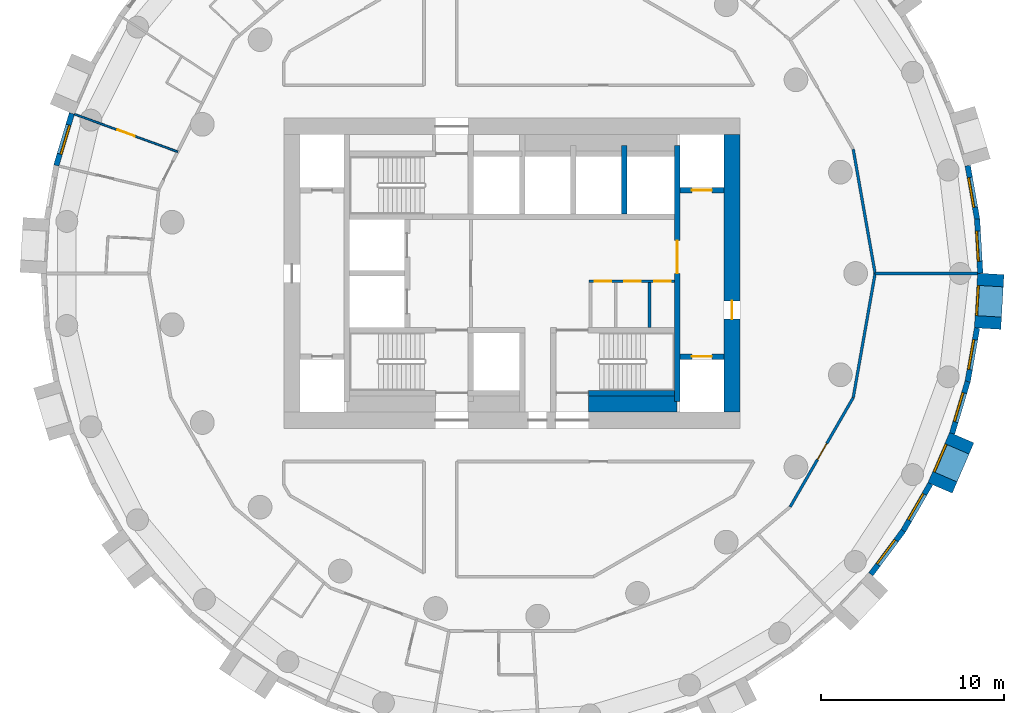
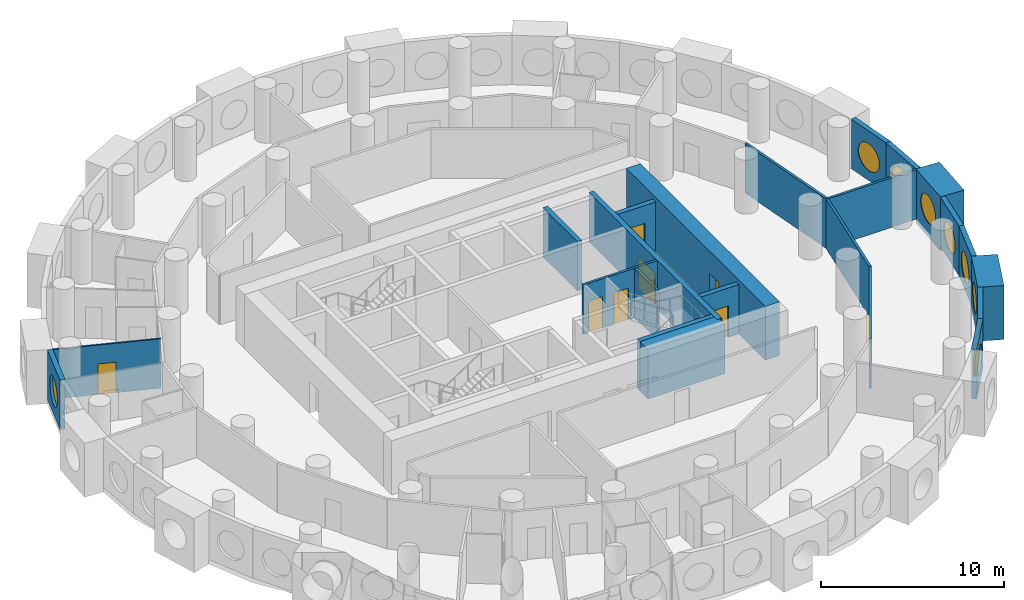
# One storey, part 5 of 9: 23 walls, 9 doors, 9 windows, 18 openings.
"""IFC4 building model written with IfcOpenShell, lengths in metres."""

import ifcopenshell
import ifcopenshell.guid

model = None  # the IFC model being written
_history = None  # IfcOwnerHistory: only IFC2X3 demands one
_inside = {}  # id of a spatial element -> (the spatial element, [elements in it])
_under = {}  # id of a project, library or spatial element -> (it, [spatial elements below it])
_declared = {}  # id of a project -> (the project, [libraries it declares])
_typed = {}  # id of a type object -> (the type object, [elements of that type])
_made_of = {}  # id of a material, layer set ... -> (it, [elements and type objects made of it])


def new_model(schema):
    """Start an empty IFC model of exactly this schema.

    Asked for "IFC4X3", IfcOpenShell would pick the latest addendum, in which some entities
    have other attributes; the version numbers below select the first issue.
    IFC2X3 requires an IfcOwnerHistory on every rooted entity: one is made here for all.
    """
    global model, _history
    if schema == "IFC4X3":
        model = ifcopenshell.file(schema_version=(4, 3, 0, 0))
    else:
        model = ifcopenshell.file(schema=schema)
    _inside.clear()
    _under.clear()
    _declared.clear()
    _typed.clear()
    _made_of.clear()
    _history = None
    if model.schema == "IFC2X3":
        org = make("IfcOrganization", Name="unknown")
        user = make(
            "IfcPersonAndOrganization",
            ThePerson=make("IfcPerson", FamilyName="unknown"),
            TheOrganization=org,
        )
        app = make(
            "IfcApplication",
            ApplicationDeveloper=org,
            Version="unknown",
            ApplicationFullName="unknown",
            ApplicationIdentifier="unknown",
        )
        _history = make(
            "IfcOwnerHistory",
            OwningUser=user,
            OwningApplication=app,
            ChangeAction="ADDED",
            CreationDate=0,
        )
    return model


def make(cls, **values):
    """One entity of the class cls with the attributes given. An attribute that is None is left unset."""
    return model.create_entity(
        cls, **{name: value for name, value in values.items() if value is not None}
    )


def rooted(cls, **values):
    """An entity with a GlobalId (a new one), such as an element, a storey or a relation."""
    return make(cls, GlobalId=ifcopenshell.guid.new(), OwnerHistory=_history, **values)


def si_unit(unit_type, name, prefix=None):
    """IfcSIUnit, for example si_unit("LENGTHUNIT", "METRE", prefix="MILLI")."""
    return make("IfcSIUnit", UnitType=unit_type, Prefix=prefix, Name=name)


def assignment(units):
    """IfcUnitAssignment: the units of a project."""
    return None if units is None else make("IfcUnitAssignment", Units=units)


def point(xyz):
    """IfcCartesianPoint."""
    return None if xyz is None else make("IfcCartesianPoint", Coordinates=xyz)


def direction(xyz):
    """IfcDirection."""
    return None if xyz is None else make("IfcDirection", DirectionRatios=xyz)


def frame(location, z_axis=None, x_axis=None):
    """IfcAxis2Placement3D, a coordinate frame: its origin and axes. An axis left out is left unset."""
    return make(
        "IfcAxis2Placement3D",
        Location=point(location),
        Axis=direction(z_axis),
        RefDirection=direction(x_axis),
    )


def frame_2d(location, x_axis=None):
    """IfcAxis2Placement2D, a coordinate frame in the plane: its origin and x axis."""
    return make(
        "IfcAxis2Placement2D", Location=point(location), RefDirection=direction(x_axis)
    )


def origin():
    """The frame at (0, 0, 0) with its axes left unset."""
    return frame((0.0, 0.0, 0.0))


def origin_2d():
    """The frame at (0, 0) in the plane with its x axis left unset."""
    return frame_2d((0.0, 0.0))


def place(relative_to, where):
    """IfcLocalPlacement: puts the frame where relative to a parent placement (None: the world)."""
    return make(
        "IfcLocalPlacement", PlacementRelTo=relative_to, RelativePlacement=where
    )


def context(
    kind, dimensions, precision=None, world=None, true_north=None, identifier=None
):
    """IfcGeometricRepresentationContext, for example the 3D "Model" context."""
    return make(
        "IfcGeometricRepresentationContext",
        ContextIdentifier=identifier,
        ContextType=kind,
        CoordinateSpaceDimension=dimensions,
        Precision=precision,
        WorldCoordinateSystem=world,
        TrueNorth=true_north,
    )


def subcontext(parent, identifier, kind, view, scale=None):
    """IfcGeometricRepresentationSubContext, for example "Body" below "Model"."""
    return make(
        "IfcGeometricRepresentationSubContext",
        ContextIdentifier=identifier,
        ContextType=kind,
        ParentContext=parent,
        TargetScale=scale,
        TargetView=view,
    )


def project(units=None, contexts=None):
    """IfcProject with its units and contexts."""
    return rooted(
        "IfcProject",
        Name="project",
        RepresentationContexts=contexts,
        UnitsInContext=assignment(units),
    )


def spatial(cls, under=None, at=None, **own):
    """A site, building, storey or space (cls), placed at a placement, below another one or the project."""
    s = rooted(cls, ObjectPlacement=at, **own)
    if under is not None:
        _under.setdefault(under.id(), (under, []))[1].append(s)
    return s


def profile(cls, at=None, kind="AREA", **sizes):
    """A parametric profile (cls). Its sizes go by their IFC names, for example OverallWidth=200.0."""
    return make(cls, ProfileType=kind, Position=at, **sizes)


def rectangle(**sizes):
    """IfcRectangleProfileDef."""
    return profile("IfcRectangleProfileDef", **sizes)


def circle(**sizes):
    """IfcCircleProfileDef."""
    return profile("IfcCircleProfileDef", **sizes)


def extrude(swept, where, along, depth):
    """IfcExtrudedAreaSolid: the profile swept, set in the frame where, extruded along a direction by depth."""
    return make(
        "IfcExtrudedAreaSolid",
        SweptArea=swept,
        Position=where,
        ExtrudedDirection=direction(along),
        Depth=depth,
    )


def shape(context_of_items, identifier, shape_type, items):
    """IfcShapeRepresentation: the items that make up one representation, for example the "Body"."""
    return make(
        "IfcShapeRepresentation",
        ContextOfItems=context_of_items,
        RepresentationIdentifier=identifier,
        RepresentationType=shape_type,
        Items=items,
    )


def material(Name=None, Category=None):
    """IfcMaterial."""
    return make("IfcMaterial", Name=Name, Category=Category)


def layer(
    of_material, thickness, ventilated=None, Name=None, Category=None, Priority=None
):
    """IfcMaterialLayer: one layer of a wall or slab, of a material (None: an air gap)."""
    return make(
        "IfcMaterialLayer",
        Material=of_material,
        LayerThickness=thickness,
        IsVentilated=ventilated,
        Name=Name,
        Category=Category,
        Priority=Priority,
    )


def layer_set(layers, Name=None):
    """IfcMaterialLayerSet."""
    return make("IfcMaterialLayerSet", MaterialLayers=layers, LayerSetName=Name)


def made_of(thing, what):
    """Note that an element or type object is made of a material, layer set ...; save() writes the relation."""
    if what is not None:
        _made_of.setdefault(what.id(), (what, []))[1].append(thing)
    return thing


def type_object(cls, material=None, **own):
    """A type object (cls), such as IfcWallType, which elements share."""
    return made_of(rooted(cls, **own), material)


def element(
    cls,
    number,
    at=None,
    inside=None,
    cuts=None,
    type_object=None,
    material=None,
    context=None,
    identifier="Body",
    shape_type=None,
    held_by="IfcProductDefinitionShape",
    body=None,
    shapes=None,
    **own,
):
    """One element of the class cls, such as IfcWall. Its Tag is "e" and its number.

    at: its placement. inside: the storey or other place that contains it. cuts: it is an
    opening in that element (IfcRelVoidsElement). A single representation is given by context,
    identifier, shape_type and body (its items); several are given by shapes. held_by: the class
    of the entity that holds the representations. save() writes the other relations.
    """
    e = rooted(cls, Tag="e%d" % number, ObjectPlacement=at, **own)
    if body is not None:
        shapes = [shape(context, identifier, shape_type, body)]
    if shapes is not None:
        e.Representation = make(held_by, Representations=shapes)
    if inside is not None:
        _inside.setdefault(inside.id(), (inside, []))[1].append(e)
    if cuts is not None:
        rooted(
            "IfcRelVoidsElement", RelatingBuildingElement=cuts, RelatedOpeningElement=e
        )
    if type_object is not None:
        _typed.setdefault(type_object.id(), (type_object, []))[1].append(e)
    return made_of(e, material)


def fill(opening, filler):
    """IfcRelFillsElement: the door or window that sits in an opening."""
    return rooted(
        "IfcRelFillsElement",
        RelatingOpeningElement=opening,
        RelatedBuildingElement=filler,
    )


def aggregate(whole, parts):
    """IfcRelAggregates: a whole, such as a stair, and the parts it consists of."""
    return rooted("IfcRelAggregates", RelatingObject=whole, RelatedObjects=parts)


def save(model, path):
    """Write the relations noted so far, then the file.

    IfcRelAggregates (storeys below a building ...), IfcRelContainedInSpatialStructure (elements
    in a storey), IfcRelDefinesByType, IfcRelAssociatesMaterial and IfcRelDeclares: one each for
    every whole, place, type object, material and project.
    """
    for whole, parts in _under.values():
        aggregate(whole, parts)
    for where, things in _inside.values():
        rooted(
            "IfcRelContainedInSpatialStructure",
            RelatedElements=things,
            RelatingStructure=where,
        )
    for kind, things in _typed.values():
        rooted("IfcRelDefinesByType", RelatedObjects=things, RelatingType=kind)
    for what, things in _made_of.values():
        rooted("IfcRelAssociatesMaterial", RelatedObjects=things, RelatingMaterial=what)
    for by, libraries in _declared.values():
        rooted("IfcRelDeclares", RelatingContext=by, RelatedDefinitions=libraries)
    model.write(path)


model = new_model("IFC4")

# Units and contexts
model_context = context("Model", 3, precision=1e-05, world=origin(), true_north=direction((0.0, 1.0)))
body_context = subcontext(model_context, "Body", "Model", "MODEL_VIEW")
ifc_project = project(units=[si_unit("LENGTHUNIT", "METRE"), si_unit("AREAUNIT", "SQUARE_METRE"), si_unit("VOLUMEUNIT", "CUBIC_METRE"), si_unit("PLANEANGLEUNIT", "RADIAN"), si_unit("MASSUNIT", "GRAM", prefix="KILO")], contexts=[model_context])

# Site, building, storey
site_placement = place(None, origin())
site = spatial("IfcSite", under=ifc_project, at=site_placement, CompositionType="ELEMENT")
building_placement = place(site_placement, origin())
building = spatial("IfcBuilding", under=site, at=building_placement, Name="Tracery Tower", CompositionType="ELEMENT")
storey_placement = place(building_placement, frame((0.0, 0.0, 183.60009765625)))
storey = spatial("IfcBuildingStorey", under=building, at=storey_placement, Name="L47", CompositionType="ELEMENT", Elevation=183.60009765625)

# Wall, openings, doors
ifc_material_1 = material(Name="Plasterboard on steel studs", Category="steel")
ifc_layer_1 = layer(ifc_material_1, 0.14990234375)
ifc_layer_set_1 = layer_set([ifc_layer_1], Name="Core room partition 150")
wall_type_1 = type_object("IfcWallType", Name="Core room partition 150", PredefinedType="SOLIDWALL", material=ifc_layer_set_1)
wall_1_placement = place(storey_placement, frame((4.22509765625, -0.425048828125, 0.0), z_axis=(0.0, 0.0, 1.0), x_axis=(1.0, 0.0, 0.0)))
wall_1 = element("IfcWall", 1, at=wall_1_placement, inside=storey, type_object=wall_type_1, Name="L47 slot N", PredefinedType="SOLIDWALL", context=body_context, shape_type="SweptSolid", body=[
    extrude(rectangle(XDim=4.6748046875, YDim=0.14990234375, at=frame_2d((2.33740234375, 0.0))), origin(), (0.0, 0.0, 1.0), 3.2998046875),
])
opening_1_placement = place(wall_1_placement, frame((0.3125, 0.0, 0.0)))
opening_1 = element("IfcOpeningElement", 2, at=opening_1_placement, cuts=wall_1, Name="Opening KD32", PredefinedType="OPENING", context=body_context, shape_type="SweptSolid", body=[
    extrude(rectangle(XDim=0.89990234375, YDim=2.10009765625, at=frame_2d((0.449951171875, 1.050048828125))), frame((0.0, 0.074951171875, 0.0), z_axis=(0.0, -1.0, 0.0), x_axis=(1.0, 0.0, 0.0)), (0.0, 0.0, 1.0), 0.14990234375),
])
opening_2_placement = place(wall_1_placement, frame((1.925048828125, 0.0, 0.0)))
opening_2 = element("IfcOpeningElement", 3, at=opening_2_placement, cuts=wall_1, Name="Opening KD21", PredefinedType="OPENING", context=body_context, shape_type="SweptSolid", body=[
    extrude(rectangle(XDim=0.89990234375, YDim=2.10009765625, at=frame_2d((0.449951171875, 1.050048828125))), frame((0.0, 0.074951171875, 0.0), z_axis=(0.0, -1.0, 0.0), x_axis=(1.0, 0.0, 0.0)), (0.0, 0.0, 1.0), 0.14990234375),
])
opening_3_placement = place(wall_1_placement, frame((3.574951171875, 0.0, 0.0)))
opening_3 = element("IfcOpeningElement", 4, at=opening_3_placement, cuts=wall_1, Name="Opening KD27", PredefinedType="OPENING", context=body_context, shape_type="SweptSolid", body=[
    extrude(rectangle(XDim=0.89990234375, YDim=2.10009765625, at=frame_2d((0.449951171875, 1.050048828125))), frame((0.0, 0.074951171875, 0.0), z_axis=(0.0, -1.0, 0.0), x_axis=(1.0, 0.0, 0.0)), (0.0, 0.0, 1.0), 0.14990234375),
])
ifc_material_2 = material(Name="Timber door leaf", Category="wood")
door_type_1 = type_object("IfcDoorType", Name="Core WC door 900", OperationType="NOTDEFINED", PredefinedType="DOOR", material=ifc_material_2)
door_1_placement = place(opening_2_placement, origin())
door_1 = element("IfcDoor", 5, at=door_1_placement, inside=storey, type_object=door_type_1, Name="Core door", OperationType="SINGLE_SWING_LEFT", OverallHeight=2.10009765625, OverallWidth=0.89990234375, PredefinedType="DOOR", context=body_context, shape_type="SweptSolid", body=[
    extrude(rectangle(XDim=0.89990234375, YDim=2.10009765625, at=frame_2d((0.449951171875, 1.050048828125))), frame((0.0, 0.02490234375, 0.0), z_axis=(0.0, -1.0, 0.0), x_axis=(1.0, 0.0, 0.0)), (0.0, 0.0, 1.0), 0.050048828125),
])
fill(opening_2, door_1)
ifc_material_3 = material(Name="Steel fire door", Category="steel")
door_type_2 = type_object("IfcDoorType", Name="Core riser door 900", OperationType="NOTDEFINED", PredefinedType="DOOR", material=ifc_material_3)
door_2_placement = place(opening_1_placement, origin())
door_2 = element("IfcDoor", 6, at=door_2_placement, inside=storey, type_object=door_type_2, Name="Core door", OperationType="SINGLE_SWING_RIGHT", OverallHeight=2.10009765625, OverallWidth=0.89990234375, PredefinedType="DOOR", context=body_context, shape_type="SweptSolid", body=[
    extrude(rectangle(XDim=0.89990234375, YDim=2.10009765625, at=frame_2d((0.449951171875, 1.050048828125))), frame((0.0, 0.02490234375, 0.0), z_axis=(0.0, -1.0, 0.0), x_axis=(1.0, 0.0, 0.0)), (0.0, 0.0, 1.0), 0.050048828125),
])
fill(opening_1, door_2)
ifc_material_4 = material(Name="Timber door leaf", Category="wood")
door_type_3 = type_object("IfcDoorType", Name="Core store door 900", OperationType="NOTDEFINED", PredefinedType="DOOR", material=ifc_material_4)
door_3_placement = place(opening_3_placement, origin())
door_3 = element("IfcDoor", 7, at=door_3_placement, inside=storey, type_object=door_type_3, Name="Core door", OperationType="SINGLE_SWING_RIGHT", OverallHeight=2.10009765625, OverallWidth=0.89990234375, PredefinedType="DOOR", context=body_context, shape_type="SweptSolid", body=[
    extrude(rectangle(XDim=0.89990234375, YDim=2.10009765625, at=frame_2d((0.449951171875, 1.050048828125))), frame((0.0, 0.02490234375, 0.0), z_axis=(0.0, -1.0, 0.0), x_axis=(1.0, 0.0, 0.0)), (0.0, 0.0, 1.0), 0.050048828125),
])
fill(opening_3, door_3)

# Walls
wall_2_placement = place(storey_placement, frame((7.52490234375, -2.949951171875, 0.0), z_axis=(0.0, 0.0, 1.0), x_axis=(0.0, 1.0, 0.0)))
element("IfcWall", 8, at=wall_2_placement, inside=storey, type_object=wall_type_1, Name="L47 slot sep 2", PredefinedType="SOLIDWALL", context=body_context, shape_type="SweptSolid", body=[
    extrude(rectangle(XDim=2.449951171875, YDim=0.14990234375, at=frame_2d((1.22509765625, 0.0))), origin(), (0.0, 0.0, 1.0), 3.2998046875),
])
ifc_material_5 = material(Name="Concrete C50/60", Category="concrete")
ifc_layer_2 = layer(ifc_material_5, 0.89990234375)
ifc_layer_set_2 = layer_set([ifc_layer_2], Name="Core strip wall 900 C50")
wall_type_2 = type_object("IfcWallType", Name="Core strip wall 900 C50", PredefinedType="SOLIDWALL", material=ifc_layer_set_2)
wall_3_placement = place(storey_placement, frame((4.199951171875, -7.14990234375, 0.0), z_axis=(0.0, 0.0, 1.0), x_axis=(1.0, 0.0, 0.0)))
element("IfcWall", 9, at=wall_3_placement, inside=storey, type_object=wall_type_2, Name="L47 F thick S E", PredefinedType="SOLIDWALL", context=body_context, shape_type="SweptSolid", body=[
    extrude(rectangle(XDim=4.85009765625, YDim=0.89990234375, at=frame_2d((2.425048828125, 0.0))), origin(), (0.0, 0.0, 1.0), 3.2998046875),
])

# Wall, opening, door
ifc_material_6 = material(Name="Concrete C50/60", Category="concrete")
ifc_layer_3 = layer(ifc_material_6, 0.89990234375)
ifc_layer_set_3 = layer_set([ifc_layer_3], Name="Core wall 900 C50")
wall_type_3 = type_object("IfcWallType", Name="Core wall 900 C50", PredefinedType="SOLIDWALL", material=ifc_layer_set_3)
wall_4_placement = place(storey_placement, frame((12.050048828125, -7.60009765625, 0.0), z_axis=(0.0, 0.0, 1.0), x_axis=(0.0, 1.0, 0.0)))
wall_4 = element("IfcWall", 10, at=wall_4_placement, inside=storey, type_object=wall_type_3, Name="L47 outer E", PredefinedType="SOLIDWALL", context=body_context, shape_type="SweptSolid", body=[
    extrude(rectangle(XDim=15.2001953125, YDim=0.89990234375, at=frame_2d((7.60009765625, 0.0))), origin(), (0.0, 0.0, 1.0), 3.599853515625),
])
opening_4_placement = place(wall_4_placement, frame((5.10009765625, 0.0, 0.0)))
opening_4 = element("IfcOpeningElement", 11, at=opening_4_placement, cuts=wall_4, Name="Opening KD18", PredefinedType="OPENING", context=body_context, shape_type="SweptSolid", body=[
    extrude(rectangle(XDim=1.0, YDim=2.10009765625, at=frame_2d((0.5, 1.050048828125))), frame((0.0, 0.449951171875, 0.0), z_axis=(0.0, -1.0, 0.0), x_axis=(1.0, 0.0, 0.0)), (0.0, 0.0, 1.0), 0.89990234375),
])
ifc_material_7 = material(Name="Steel fire door", Category="steel")
door_type_4 = type_object("IfcDoorType", Name="Core exit door 1000", OperationType="NOTDEFINED", PredefinedType="DOOR", material=ifc_material_7)
door_4_placement = place(opening_4_placement, origin())
door_4 = element("IfcDoor", 12, at=door_4_placement, inside=storey, type_object=door_type_4, Name="Core exit door", OperationType="DOUBLE_DOOR_SINGLE_SWING", OverallHeight=2.10009765625, OverallWidth=1.0, PredefinedType="DOOR", context=body_context, shape_type="SweptSolid", body=[
    extrude(rectangle(XDim=1.0, YDim=2.10009765625, at=frame_2d((0.5, 1.050048828125))), frame((0.0, 0.02490234375, 0.0), z_axis=(0.0, -1.0, 0.0), x_axis=(1.0, 0.0, 0.0)), (0.0, 0.0, 1.0), 0.050048828125),
])
fill(opening_4, door_4)

# Wall, opening, window
ifc_material_8 = material(Name="Precast concrete C50/60", Category="concrete")
ifc_layer_4 = layer(ifc_material_8, 1.449951171875)
ifc_layer_set_4 = layer_set([ifc_layer_4], Name="Deep-set bay unit 3000 x 3600, slab edge 300")
wall_type_4 = type_object("IfcWallType", Name="Deep-set bay unit 3000 x 3600, slab edge 300", PredefinedType="ELEMENTEDWALL", material=ifc_layer_set_4)
wall_5_placement = place(storey_placement, frame((23.44384765625, -11.746337890625, -0.300048828125), z_axis=(0.0, 0.0, 1.0), x_axis=(0.396079003245, 0.918216435917, 0.0)))
wall_5 = element("IfcWall", 13, at=wall_5_placement, inside=storey, type_object=wall_type_4, Name="Deep-set bay unit 51 at L47", PredefinedType="ELEMENTEDWALL", context=body_context, shape_type="SweptSolid", body=[
    extrude(rectangle(XDim=3.0, YDim=1.449951171875, at=frame_2d((1.5, 0.0))), origin(), (0.0, 0.0, 1.0), 3.599853515625),
])
opening_5_placement = place(wall_5_placement, frame((1.5, 0.0, 1.85009765625)))
opening_5 = element("IfcOpeningElement", 14, at=opening_5_placement, cuts=wall_5, Name="Opening WN1", PredefinedType="OPENING", context=body_context, shape_type="SweptSolid", body=[
    extrude(circle(Radius=0.9000244140625, at=origin_2d()), frame((0.0, 0.73486328125, 0.0), z_axis=(0.0, -1.0, 0.0), x_axis=(1.0, 0.0, 0.0)), (0.0, 0.0, 1.0), 1.469970703125),
])
ifc_material_9 = material(Name="Aluminium frame with tinted double glazing", Category="aluminium")
window_type = type_object("IfcWindowType", Name="Round window 1800", PartitioningType="SINGLE_PANEL", PredefinedType="WINDOW", material=ifc_material_9)
window_1_placement = place(opening_5_placement, origin())
window_1 = element("IfcWindow", 15, at=window_1_placement, inside=storey, type_object=window_type, Name="Round window 51 at L47", OverallHeight=1.800048828125, OverallWidth=1.800048828125, PartitioningType="SINGLE_PANEL", PredefinedType="WINDOW", context=body_context, shape_type="SweptSolid", body=[
    extrude(circle(Radius=0.9000244140625, at=origin_2d()), frame((0.0, 0.69482421875, 0.0), z_axis=(0.0, -1.0, 0.0), x_axis=(1.0, 0.0, 0.0)), (0.0, 0.0, 1.0), 0.10009765625),
])
fill(opening_5, window_1)

wall_6_placement = place(storey_placement, frame((26.047607421875, -3.01953125, -0.300048828125), z_axis=(0.0, 0.0, 1.0), x_axis=(0.058106596105, 0.998310384344, 0.0)))
wall_6 = element("IfcWall", 16, at=wall_6_placement, inside=storey, type_object=wall_type_4, Name="Deep-set bay unit 54 at L47", PredefinedType="ELEMENTEDWALL", context=body_context, shape_type="SweptSolid", body=[
    extrude(rectangle(XDim=3.0, YDim=1.449951171875, at=frame_2d((1.5, 0.0))), origin(), (0.0, 0.0, 1.0), 3.599853515625),
])
opening_6_placement = place(wall_6_placement, frame((1.5, 0.0, 1.85009765625)))
opening_6 = element("IfcOpeningElement", 17, at=opening_6_placement, cuts=wall_6, Name="Opening WN1", PredefinedType="OPENING", context=body_context, shape_type="SweptSolid", body=[
    extrude(circle(Radius=0.9000244140625, at=origin_2d()), frame((0.0, 0.73486328125, 0.0), z_axis=(0.0, -1.0, 0.0), x_axis=(1.0, 0.0, 0.0)), (0.0, 0.0, 1.0), 1.469970703125),
])
window_2_placement = place(opening_6_placement, origin())
window_2 = element("IfcWindow", 18, at=window_2_placement, inside=storey, type_object=window_type, Name="Round window 54 at L47", OverallHeight=1.800048828125, OverallWidth=1.800048828125, PartitioningType="SINGLE_PANEL", PredefinedType="WINDOW", context=body_context, shape_type="SweptSolid", body=[
    extrude(circle(Radius=0.9000244140625, at=origin_2d()), frame((0.0, 0.69482421875, 0.0), z_axis=(0.0, -1.0, 0.0), x_axis=(1.0, 0.0, 0.0)), (0.0, 0.0, 1.0), 0.10009765625),
])
fill(opening_6, window_2)

ifc_material_10 = material(Name="Precast concrete C50/60", Category="concrete")
ifc_layer_5 = layer(ifc_material_10, 0.300048828125)
ifc_layer_set_5 = layer_set([ifc_layer_5], Name="Facade panel 3000 x 3300")
wall_type_5 = type_object("IfcWallType", Name="Facade panel 3000 x 3300", PredefinedType="SOLIDWALL", material=ifc_layer_set_5)
wall_7_placement = place(storey_placement, frame((25.64697265625, 0.009521484375, 0.0), z_axis=(0.0, 0.0, 1.0), x_axis=(-0.058139540521, 0.998308466271, 0.0)))
wall_7 = element("IfcWall", 19, at=wall_7_placement, inside=storey, type_object=wall_type_5, Name="Facade panel 1 at L47", PredefinedType="SOLIDWALL", context=body_context, shape_type="SweptSolid", body=[
    extrude(rectangle(XDim=2.97314453125, YDim=0.300048828125, at=frame_2d((1.486572265625, 0.0))), origin(), (0.0, 0.0, 1.0), 3.2998046875),
])
opening_7_placement = place(wall_7_placement, frame((1.486328125, 0.0, 1.5498046875)))
opening_7 = element("IfcOpeningElement", 20, at=opening_7_placement, cuts=wall_7, Name="Opening WN1", PredefinedType="OPENING", context=body_context, shape_type="SweptSolid", body=[
    extrude(circle(Radius=0.9000244140625, at=origin_2d()), frame((0.0, 0.159912109375, 0.0), z_axis=(0.0, -1.0, 0.0), x_axis=(1.0, 0.0, 0.0)), (0.0, 0.0, 1.0), 0.320068359375),
])
window_3_placement = place(opening_7_placement, origin())
window_3 = element("IfcWindow", 21, at=window_3_placement, inside=storey, type_object=window_type, Name="Round window 1 at L47", OverallHeight=1.800048828125, OverallWidth=1.800048828125, PartitioningType="SINGLE_PANEL", PredefinedType="WINDOW", context=body_context, shape_type="SweptSolid", body=[
    extrude(circle(Radius=0.9000244140625, at=origin_2d()), frame((0.0, 0.1201171875, 0.0), z_axis=(0.0, -1.0, 0.0), x_axis=(1.0, 0.0, 0.0)), (0.0, 0.0, 1.0), 0.10009765625),
])
fill(opening_7, window_3)

wall_8_placement = place(storey_placement, frame((25.47412109375, 2.9775390625, 0.0), z_axis=(0.0, 0.0, 1.0), x_axis=(-0.173686952598, 0.984800915159, 0.0)))
wall_8 = element("IfcWall", 22, at=wall_8_placement, inside=storey, type_object=wall_type_5, Name="Facade panel 2 at L47", PredefinedType="SOLIDWALL", context=body_context, shape_type="SweptSolid", body=[
    extrude(rectangle(XDim=2.972900390625, YDim=0.300048828125, at=frame_2d((1.486328125, 0.0))), origin(), (0.0, 0.0, 1.0), 3.2998046875),
])
opening_8_placement = place(wall_8_placement, frame((1.486328125, 0.0, 1.5498046875)))
opening_8 = element("IfcOpeningElement", 23, at=opening_8_placement, cuts=wall_8, Name="Opening WN1", PredefinedType="OPENING", context=body_context, shape_type="SweptSolid", body=[
    extrude(circle(Radius=0.9000244140625, at=origin_2d()), frame((0.0, 0.159912109375, 0.0), z_axis=(0.0, -1.0, 0.0), x_axis=(1.0, 0.0, 0.0)), (0.0, 0.0, 1.0), 0.320068359375),
])
window_4_placement = place(opening_8_placement, origin())
window_4 = element("IfcWindow", 24, at=window_4_placement, inside=storey, type_object=window_type, Name="Round window 2 at L47", OverallHeight=1.800048828125, OverallWidth=1.800048828125, PartitioningType="SINGLE_PANEL", PredefinedType="WINDOW", context=body_context, shape_type="SweptSolid", body=[
    extrude(circle(Radius=0.9000244140625, at=origin_2d()), frame((0.0, 0.1201171875, 0.0), z_axis=(0.0, -1.0, 0.0), x_axis=(1.0, 0.0, 0.0)), (0.0, 0.0, 1.0), 0.10009765625),
])
fill(opening_8, window_4)

wall_9_placement = place(storey_placement, frame((-24.103515625, 8.7626953125, 0.0), z_axis=(0.0, 0.0, 1.0), x_axis=(-0.286782750849, -0.957995643944, 0.0)))
wall_9 = element("IfcWall", 25, at=wall_9_placement, inside=storey, type_object=wall_type_5, Name="Facade panel 25 at L47", PredefinedType="SOLIDWALL", context=body_context, shape_type="SweptSolid", body=[
    extrude(rectangle(XDim=2.97265625, YDim=0.300048828125, at=frame_2d((1.486328125, 0.0))), origin(), (0.0, 0.0, 1.0), 3.2998046875),
])
opening_9_placement = place(wall_9_placement, frame((1.486328125, 0.0, 1.5498046875)))
opening_9 = element("IfcOpeningElement", 26, at=opening_9_placement, cuts=wall_9, Name="Opening WN1", PredefinedType="OPENING", context=body_context, shape_type="SweptSolid", body=[
    extrude(circle(Radius=0.9000244140625, at=origin_2d()), frame((0.0, 0.159912109375, 0.0), z_axis=(0.0, -1.0, 0.0), x_axis=(1.0, 0.0, 0.0)), (0.0, 0.0, 1.0), 0.320068359375),
])
window_5_placement = place(opening_9_placement, origin())
window_5 = element("IfcWindow", 27, at=window_5_placement, inside=storey, type_object=window_type, Name="Round window 25 at L47", OverallHeight=1.800048828125, OverallWidth=1.800048828125, PartitioningType="SINGLE_PANEL", PredefinedType="WINDOW", context=body_context, shape_type="SweptSolid", body=[
    extrude(circle(Radius=0.9000244140625, at=origin_2d()), frame((0.0, 0.1201171875, 0.0), z_axis=(0.0, -1.0, 0.0), x_axis=(1.0, 0.0, 0.0)), (0.0, 0.0, 1.0), 0.10009765625),
])
fill(opening_9, window_5)

wall_10_placement = place(storey_placement, frame((19.65283203125, -16.47802734375, 0.0), z_axis=(0.0, 0.0, 1.0), x_axis=(0.597197580538, 0.80209416517, 0.0)))
wall_10 = element("IfcWall", 28, at=wall_10_placement, inside=storey, type_object=wall_type_5, Name="Facade panel 49 at L47", PredefinedType="SOLIDWALL", context=body_context, shape_type="SweptSolid", body=[
    extrude(rectangle(XDim=2.972900390625, YDim=0.300048828125, at=frame_2d((1.486328125, 0.0))), origin(), (0.0, 0.0, 1.0), 3.2998046875),
])
opening_10_placement = place(wall_10_placement, frame((1.486328125, 0.0, 1.5498046875)))
opening_10 = element("IfcOpeningElement", 29, at=opening_10_placement, cuts=wall_10, Name="Opening WN1", PredefinedType="OPENING", context=body_context, shape_type="SweptSolid", body=[
    extrude(circle(Radius=0.9000244140625, at=origin_2d()), frame((0.0, 0.159912109375, 0.0), z_axis=(0.0, -1.0, 0.0), x_axis=(1.0, 0.0, 0.0)), (0.0, 0.0, 1.0), 0.320068359375),
])
window_6_placement = place(opening_10_placement, origin())
window_6 = element("IfcWindow", 30, at=window_6_placement, inside=storey, type_object=window_type, Name="Round window 49 at L47", OverallHeight=1.800048828125, OverallWidth=1.800048828125, PartitioningType="SINGLE_PANEL", PredefinedType="WINDOW", context=body_context, shape_type="SweptSolid", body=[
    extrude(circle(Radius=0.9000244140625, at=origin_2d()), frame((0.0, 0.1201171875, 0.0), z_axis=(0.0, -1.0, 0.0), x_axis=(1.0, 0.0, 0.0)), (0.0, 0.0, 1.0), 0.10009765625),
])
fill(opening_10, window_6)

wall_11_placement = place(storey_placement, frame((21.42822265625, -14.093505859375, 0.0), z_axis=(0.0, 0.0, 1.0), x_axis=(0.499954672104, 0.866051572276, 0.0)))
wall_11 = element("IfcWall", 31, at=wall_11_placement, inside=storey, type_object=wall_type_5, Name="Facade panel 50 at L47", PredefinedType="SOLIDWALL", context=body_context, shape_type="SweptSolid", body=[
    extrude(rectangle(XDim=2.972900390625, YDim=0.300048828125, at=frame_2d((1.486328125, 0.0))), origin(), (0.0, 0.0, 1.0), 3.2998046875),
])
opening_11_placement = place(wall_11_placement, frame((1.486328125, 0.0, 1.5498046875)))
opening_11 = element("IfcOpeningElement", 32, at=opening_11_placement, cuts=wall_11, Name="Opening WN1", PredefinedType="OPENING", context=body_context, shape_type="SweptSolid", body=[
    extrude(circle(Radius=0.9000244140625, at=origin_2d()), frame((0.0, 0.159912109375, 0.0), z_axis=(0.0, -1.0, 0.0), x_axis=(1.0, 0.0, 0.0)), (0.0, 0.0, 1.0), 0.320068359375),
])
window_7_placement = place(opening_11_placement, origin())
window_7 = element("IfcWindow", 33, at=window_7_placement, inside=storey, type_object=window_type, Name="Round window 50 at L47", OverallHeight=1.800048828125, OverallWidth=1.800048828125, PartitioningType="SINGLE_PANEL", PredefinedType="WINDOW", context=body_context, shape_type="SweptSolid", body=[
    extrude(circle(Radius=0.9000244140625, at=origin_2d()), frame((0.0, 0.1201171875, 0.0), z_axis=(0.0, -1.0, 0.0), x_axis=(1.0, 0.0, 0.0)), (0.0, 0.0, 1.0), 0.10009765625),
])
fill(opening_11, window_7)

wall_12_placement = place(storey_placement, frame((24.103515625, -8.7626953125, 0.0), z_axis=(0.0, 0.0, 1.0), x_axis=(0.286782750849, 0.957995643944, 0.0)))
wall_12 = element("IfcWall", 34, at=wall_12_placement, inside=storey, type_object=wall_type_5, Name="Facade panel 52 at L47", PredefinedType="SOLIDWALL", context=body_context, shape_type="SweptSolid", body=[
    extrude(rectangle(XDim=2.97265625, YDim=0.300048828125, at=frame_2d((1.486328125, 0.0))), origin(), (0.0, 0.0, 1.0), 3.2998046875),
])
opening_12_placement = place(wall_12_placement, frame((1.486328125, 0.0, 1.5498046875)))
opening_12 = element("IfcOpeningElement", 35, at=opening_12_placement, cuts=wall_12, Name="Opening WN1", PredefinedType="OPENING", context=body_context, shape_type="SweptSolid", body=[
    extrude(circle(Radius=0.9000244140625, at=origin_2d()), frame((0.0, 0.159912109375, 0.0), z_axis=(0.0, -1.0, 0.0), x_axis=(1.0, 0.0, 0.0)), (0.0, 0.0, 1.0), 0.320068359375),
])
window_8_placement = place(opening_12_placement, origin())
window_8 = element("IfcWindow", 36, at=window_8_placement, inside=storey, type_object=window_type, Name="Round window 52 at L47", OverallHeight=1.800048828125, OverallWidth=1.800048828125, PartitioningType="SINGLE_PANEL", PredefinedType="WINDOW", context=body_context, shape_type="SweptSolid", body=[
    extrude(circle(Radius=0.9000244140625, at=origin_2d()), frame((0.0, 0.1201171875, 0.0), z_axis=(0.0, -1.0, 0.0), x_axis=(1.0, 0.0, 0.0)), (0.0, 0.0, 1.0), 0.10009765625),
])
fill(opening_12, window_8)

wall_13_placement = place(storey_placement, frame((24.9560546875, -5.914794921875, 0.0), z_axis=(0.0, 0.0, 1.0), x_axis=(0.173686952598, 0.984800915159, 0.0)))
wall_13 = element("IfcWall", 37, at=wall_13_placement, inside=storey, type_object=wall_type_5, Name="Facade panel 53 at L47", PredefinedType="SOLIDWALL", context=body_context, shape_type="SweptSolid", body=[
    extrude(rectangle(XDim=2.972900390625, YDim=0.300048828125, at=frame_2d((1.486328125, 0.0))), origin(), (0.0, 0.0, 1.0), 3.2998046875),
])
opening_13_placement = place(wall_13_placement, frame((1.486328125, 0.0, 1.5498046875)))
opening_13 = element("IfcOpeningElement", 38, at=opening_13_placement, cuts=wall_13, Name="Opening WN1", PredefinedType="OPENING", context=body_context, shape_type="SweptSolid", body=[
    extrude(circle(Radius=0.9000244140625, at=origin_2d()), frame((0.0, 0.159912109375, 0.0), z_axis=(0.0, -1.0, 0.0), x_axis=(1.0, 0.0, 0.0)), (0.0, 0.0, 1.0), 0.320068359375),
])
window_9_placement = place(opening_13_placement, origin())
window_9 = element("IfcWindow", 39, at=window_9_placement, inside=storey, type_object=window_type, Name="Round window 53 at L47", OverallHeight=1.800048828125, OverallWidth=1.800048828125, PartitioningType="SINGLE_PANEL", PredefinedType="WINDOW", context=body_context, shape_type="SweptSolid", body=[
    extrude(circle(Radius=0.9000244140625, at=origin_2d()), frame((0.0, 0.1201171875, 0.0), z_axis=(0.0, -1.0, 0.0), x_axis=(1.0, 0.0, 0.0)), (0.0, 0.0, 1.0), 0.10009765625),
])
fill(opening_13, window_9)

# Wall, opening, door
ifc_material_11 = material(Name="Plasterboard on steel studs", Category="steel")
ifc_layer_6 = layer(ifc_material_11, 0.10009765625)
ifc_layer_set_6 = layer_set([ifc_layer_6], Name="Partition 100 stud")
wall_type_6 = type_object("IfcWallType", Name="Partition 100 stud", PredefinedType="PARTITIONING", material=ifc_layer_set_6)
wall_14_placement = place(storey_placement, frame((-23.9599609375, 8.720947265625, 0.0), z_axis=(0.0, 0.0, 1.0), x_axis=(0.939704504136, -0.341987492326, 0.0)))
wall_14 = element("IfcWall", 40, at=wall_14_placement, inside=storey, type_object=wall_type_6, Name="Stud partition RB6-046", PredefinedType="PARTITIONING", context=body_context, shape_type="SweptSolid", body=[
    extrude(rectangle(XDim=6.014404296875, YDim=0.10009765625, at=frame_2d((3.00732421875, 0.0))), origin(), (0.0, 0.0, 1.0), 3.2998046875),
])
opening_14_placement = place(wall_14_placement, frame((2.5078125, 0.0, 0.0)))
opening_14 = element("IfcOpeningElement", 41, at=opening_14_placement, cuts=wall_14, Name="Opening RB6-11", PredefinedType="OPENING", context=body_context, shape_type="SweptSolid", body=[
    extrude(rectangle(XDim=1.0, YDim=2.0400390625, at=frame_2d((0.5, 1.02001953125))), frame((0.0, 0.050048828125, 0.0), z_axis=(0.0, -1.0, 0.0), x_axis=(1.0, 0.0, 0.0)), (0.0, 0.0, 1.0), 0.10009765625),
])
ifc_material_12 = material(Name="Timber door leaf", Category="wood")
door_type_5 = type_object("IfcDoorType", Name="Door communal room 1000", OperationType="NOTDEFINED", PredefinedType="DOOR", material=ifc_material_12)
door_5_placement = place(opening_14_placement, origin())
door_5 = element("IfcDoor", 42, at=door_5_placement, inside=storey, type_object=door_type_5, Name="Communal room door RB6-11", OperationType="SINGLE_SWING_LEFT", OverallHeight=2.0400390625, OverallWidth=1.0, PredefinedType="DOOR", context=body_context, shape_type="SweptSolid", body=[
    extrude(rectangle(XDim=1.0, YDim=2.0400390625, at=frame_2d((0.5, 1.02001953125))), frame((0.0, 0.02490234375, 0.0), z_axis=(0.0, -1.0, 0.0), x_axis=(1.0, 0.0, 0.0)), (0.0, 0.0, 1.0), 0.050048828125),
])
fill(opening_14, door_5)

# Walls
ifc_material_13 = material(Name="Plasterboard on steel studs", Category="steel")
ifc_layer_7 = layer(ifc_material_13, 0.14990234375)
ifc_layer_set_7 = layer_set([ifc_layer_7], Name="Partition 150 acoustic unit wall")
wall_type_7 = type_object("IfcWallType", Name="Partition 150 acoustic unit wall", PredefinedType="PARTITIONING", material=ifc_layer_set_7)
wall_15_placement = place(storey_placement, frame((19.887939453125, 0.0, 0.0), z_axis=(0.0, 0.0, 1.0), x_axis=(1.0, 0.0, 0.0)))
element("IfcWall", 43, at=wall_15_placement, inside=storey, type_object=wall_type_7, Name="Unit wall RB6-040", PredefinedType="PARTITIONING", context=body_context, shape_type="SweptSolid", body=[
    extrude(rectangle(XDim=5.609130859375, YDim=0.14990234375, at=frame_2d((2.8046875, 0.0))), origin(), (0.0, 0.0, 1.0), 3.2998046875),
])
ifc_material_14 = material(Name="Plasterboard on steel studs", Category="steel")
ifc_layer_8 = layer(ifc_material_14, 0.14990234375)
ifc_layer_set_8 = layer_set([ifc_layer_8], Name="Partition 150 corridor wall")
wall_type_8 = type_object("IfcWallType", Name="Partition 150 corridor wall", PredefinedType="PARTITIONING", material=ifc_layer_set_8)
for number, where, z_axis, x_axis, name in (
    (44, (18.68798828125, 6.802001953125, 0.0), (0.0, 0.0, 1.0), (0.173728873845, -0.98479352069, 0.0), "Corridor wall RB6-008"),
    (45, (18.68798828125, -6.802001953125, 0.0), (0.0, 0.0, 1.0), (0.173728873845, 0.98479352069, 0.0), "Corridor wall RB6-010"),
):
    element("IfcWall", number, at=place(storey_placement, frame(where, z_axis=z_axis, x_axis=x_axis)), inside=storey, type_object=wall_type_8, Name=name, PredefinedType="PARTITIONING", context=body_context, shape_type="SweptSolid", body=[
        extrude(rectangle(XDim=6.906982421875, YDim=0.14990234375, at=frame_2d((3.45361328125, 0.0))), origin(), (0.0, 0.0, 1.0), 3.2998046875),
    ])

# Wall, opening, door
wall_16_placement = place(storey_placement, frame((15.235107421875, -12.783935546875, 0.0), z_axis=(0.0, 0.0, 1.0), x_axis=(0.499914202267, 0.866074933462, 0.0)))
wall_16 = element("IfcWall", 46, at=wall_16_placement, inside=storey, type_object=wall_type_8, Name="Corridor wall RB6-011", PredefinedType="PARTITIONING", context=body_context, shape_type="SweptSolid", body=[
    extrude(rectangle(XDim=6.906982421875, YDim=0.14990234375, at=frame_2d((3.45361328125, 0.0))), origin(), (0.0, 0.0, 1.0), 3.2998046875),
])
opening_15_placement = place(wall_16_placement, frame((3.003173828125, 0.0, 0.0)))
opening_15 = element("IfcOpeningElement", 47, at=opening_15_placement, cuts=wall_16, Name="Opening RB6-25", PredefinedType="OPENING", context=body_context, shape_type="SweptSolid", body=[
    extrude(rectangle(XDim=1.0, YDim=2.0400390625, at=frame_2d((0.5, 1.02001953125))), frame((0.0, 0.074951171875, 0.0), z_axis=(0.0, -1.0, 0.0), x_axis=(1.0, 0.0, 0.0)), (0.0, 0.0, 1.0), 0.14990234375),
])
door_6_placement = place(opening_15_placement, origin())
door_6 = element("IfcDoor", 48, at=door_6_placement, inside=storey, type_object=door_type_5, Name="Communal room door RB6-25", OperationType="SINGLE_SWING_LEFT", OverallHeight=2.0400390625, OverallWidth=1.0, PredefinedType="DOOR", context=body_context, shape_type="SweptSolid", body=[
    extrude(rectangle(XDim=1.0, YDim=2.0400390625, at=frame_2d((0.5, 1.02001953125))), frame((0.0, 0.02490234375, 0.0), z_axis=(0.0, -1.0, 0.0), x_axis=(1.0, 0.0, 0.0)), (0.0, 0.0, 1.0), 0.050048828125),
])
fill(opening_15, door_6)

# Wall
ifc_material_15 = material(Name="Concrete C50/60", Category="concrete")
ifc_layer_9 = layer(ifc_material_15, 0.300048828125)
ifc_layer_set_9 = layer_set([ifc_layer_9], Name="Shaft wall 300 C50")
wall_type_9 = type_object("IfcWallType", Name="Shaft wall 300 C50", PredefinedType="SOLIDWALL", material=ifc_layer_set_9)
wall_17_placement = place(storey_placement, frame((6.14990234375, 3.25, 0.0), z_axis=(0.0, 0.0, 1.0), x_axis=(0.0, 1.0, 0.0)))
element("IfcWall", 49, at=wall_17_placement, inside=storey, type_object=wall_type_9, Name="L47 HR sep 3", PredefinedType="SOLIDWALL", context=body_context, shape_type="SweptSolid", body=[
    extrude(rectangle(XDim=3.75, YDim=0.300048828125, at=frame_2d((1.875, 0.0))), origin(), (0.0, 0.0, 1.0), 3.2998046875),
])

# Wall, opening, door
wall_18_placement = place(storey_placement, frame((9.199951171875, -4.550048828125, 0.0), z_axis=(0.0, 0.0, 1.0), x_axis=(1.0, 0.0, 0.0)))
wall_18 = element("IfcWall", 50, at=wall_18_placement, inside=storey, type_object=wall_type_9, Name="L47 MR E -4.55", PredefinedType="SOLIDWALL", context=body_context, shape_type="SweptSolid", body=[
    extrude(rectangle(XDim=2.400146484375, YDim=0.300048828125, at=frame_2d((1.2001953125, 0.0))), origin(), (0.0, 0.0, 1.0), 3.2998046875),
])
opening_16_placement = place(wall_18_placement, frame((0.64990234375, 0.0, 0.0)))
opening_16 = element("IfcOpeningElement", 51, at=opening_16_placement, cuts=wall_18, Name="Opening KD50", PredefinedType="OPENING", context=body_context, shape_type="SweptSolid", body=[
    extrude(rectangle(XDim=1.10009765625, YDim=2.10009765625, at=frame_2d((0.550048828125, 1.050048828125))), frame((0.0, 0.14990234375, 0.0), z_axis=(0.0, -1.0, 0.0), x_axis=(1.0, 0.0, 0.0)), (0.0, 0.0, 1.0), 0.300048828125),
])
ifc_material_16 = material(Name="Steel fire door", Category="steel")
door_type_6 = type_object("IfcDoorType", Name="Landing door 1100", OperationType="NOTDEFINED", PredefinedType="DOOR", material=ifc_material_16)
door_7_placement = place(opening_16_placement, origin())
door_7 = element("IfcDoor", 52, at=door_7_placement, inside=storey, type_object=door_type_6, Name="Landing door MR3", OperationType="SLIDING_TO_RIGHT", OverallHeight=2.10009765625, OverallWidth=1.10009765625, PredefinedType="DOOR", context=body_context, shape_type="SweptSolid", body=[
    extrude(rectangle(XDim=1.10009765625, YDim=2.10009765625, at=frame_2d((0.550048828125, 1.050048828125))), frame((0.0, 0.02490234375, 0.0), z_axis=(0.0, -1.0, 0.0), x_axis=(1.0, 0.0, 0.0)), (0.0, 0.0, 1.0), 0.050048828125),
])
fill(opening_16, door_7)

wall_19_placement = place(storey_placement, frame((9.199951171875, 4.550048828125, 0.0), z_axis=(0.0, 0.0, 1.0), x_axis=(1.0, 0.0, 0.0)))
wall_19 = element("IfcWall", 53, at=wall_19_placement, inside=storey, type_object=wall_type_9, Name="L47 MR E +4.55", PredefinedType="SOLIDWALL", context=body_context, shape_type="SweptSolid", body=[
    extrude(rectangle(XDim=2.400146484375, YDim=0.300048828125, at=frame_2d((1.2001953125, 0.0))), origin(), (0.0, 0.0, 1.0), 3.2998046875),
])
opening_17_placement = place(wall_19_placement, frame((0.64990234375, 0.0, 0.0)))
opening_17 = element("IfcOpeningElement", 54, at=opening_17_placement, cuts=wall_19, Name="Opening KD49", PredefinedType="OPENING", context=body_context, shape_type="SweptSolid", body=[
    extrude(rectangle(XDim=1.10009765625, YDim=2.10009765625, at=frame_2d((0.550048828125, 1.050048828125))), frame((0.0, 0.14990234375, 0.0), z_axis=(0.0, -1.0, 0.0), x_axis=(1.0, 0.0, 0.0)), (0.0, 0.0, 1.0), 0.300048828125),
])
door_8_placement = place(opening_17_placement, origin())
door_8 = element("IfcDoor", 55, at=door_8_placement, inside=storey, type_object=door_type_6, Name="Landing door MR4", OperationType="SLIDING_TO_LEFT", OverallHeight=2.10009765625, OverallWidth=1.10009765625, PredefinedType="DOOR", context=body_context, shape_type="SweptSolid", body=[
    extrude(rectangle(XDim=1.10009765625, YDim=2.10009765625, at=frame_2d((0.550048828125, 1.050048828125))), frame((0.0, 0.02490234375, 0.0), z_axis=(0.0, -1.0, 0.0), x_axis=(1.0, 0.0, 0.0)), (0.0, 0.0, 1.0), 0.050048828125),
])
fill(opening_17, door_8)

ifc_material_17 = material(Name="Concrete C50/60", Category="concrete")
ifc_layer_10 = layer(ifc_material_17, 0.300048828125)
ifc_layer_set_10 = layer_set([ifc_layer_10], Name="Stair wall 300 C50")
wall_type_10 = type_object("IfcWallType", Name="Stair wall 300 C50", PredefinedType="SOLIDWALL", material=ifc_layer_set_10)
wall_20_placement = place(storey_placement, frame((9.050048828125, -7.0, 0.0), z_axis=(0.0, 0.0, 1.0), x_axis=(0.0, 1.0, 0.0)))
wall_20 = element("IfcWall", 56, at=wall_20_placement, inside=storey, type_object=wall_type_10, Name="L47 F wall +9", PredefinedType="SOLIDWALL", context=body_context, shape_type="SweptSolid", body=[
    extrude(rectangle(XDim=14.0, YDim=0.300048828125, at=frame_2d((7.0, 0.0))), origin(), (0.0, 0.0, 1.0), 3.2998046875),
])
opening_18_placement = place(wall_20_placement, frame((7.0, 0.0, 0.0)))
opening_18 = element("IfcOpeningElement", 57, at=opening_18_placement, cuts=wall_20, Name="Opening KD13", PredefinedType="OPENING", context=body_context, shape_type="SweptSolid", body=[
    extrude(rectangle(XDim=1.800048828125, YDim=2.10009765625, at=frame_2d((0.89990234375, 1.050048828125))), frame((0.0, 0.14990234375, 0.0), z_axis=(0.0, -1.0, 0.0), x_axis=(1.0, 0.0, 0.0)), (0.0, 0.0, 1.0), 0.300048828125),
])
ifc_material_18 = material(Name="Steel fire door", Category="steel")
door_type_7 = type_object("IfcDoorType", Name="Core exit door 1800 double", OperationType="NOTDEFINED", PredefinedType="DOOR", material=ifc_material_18)
door_9_placement = place(opening_18_placement, origin())
door_9 = element("IfcDoor", 58, at=door_9_placement, inside=storey, type_object=door_type_7, Name="Core exit door", OperationType="DOUBLE_DOOR_SINGLE_SWING", OverallHeight=2.10009765625, OverallWidth=1.800048828125, PredefinedType="DOOR", context=body_context, shape_type="SweptSolid", body=[
    extrude(rectangle(XDim=1.800048828125, YDim=2.10009765625, at=frame_2d((0.89990234375, 1.050048828125))), frame((0.0, 0.02490234375, 0.0), z_axis=(0.0, -1.0, 0.0), x_axis=(1.0, 0.0, 0.0)), (0.0, 0.0, 1.0), 0.050048828125),
])
fill(opening_18, door_9)

# Wall
wall_21_placement = place(storey_placement, frame((4.199951171875, -6.550048828125, 0.0), z_axis=(0.0, 0.0, 1.0), x_axis=(1.0, 0.0, 0.0)))
element("IfcWall", 59, at=wall_21_placement, inside=storey, type_object=wall_type_10, Name="L47 F stair strip S E", PredefinedType="SOLIDWALL", context=body_context, shape_type="SweptSolid", body=[
    extrude(rectangle(XDim=4.699951171875, YDim=0.300048828125, at=frame_2d((2.35009765625, 0.0))), origin(), (0.0, 0.0, 1.0), 3.2998046875),
])

save(model, "model.ifc")
